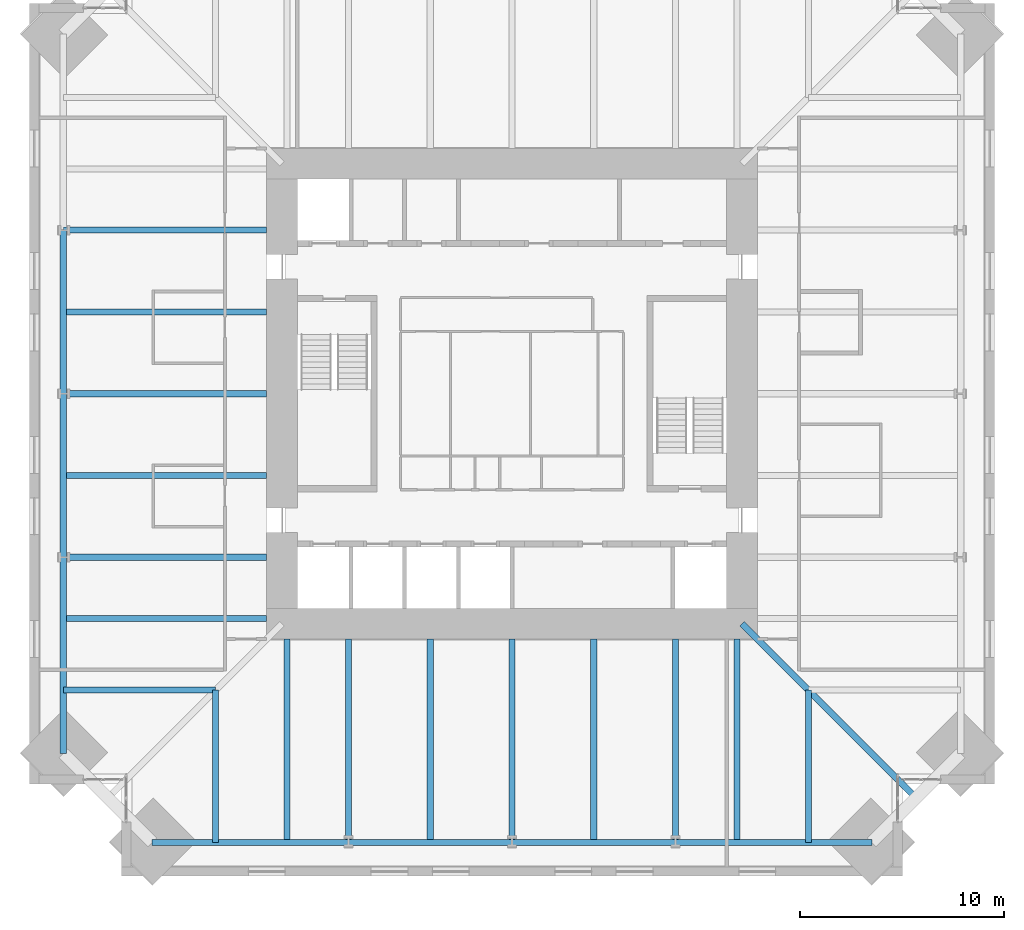
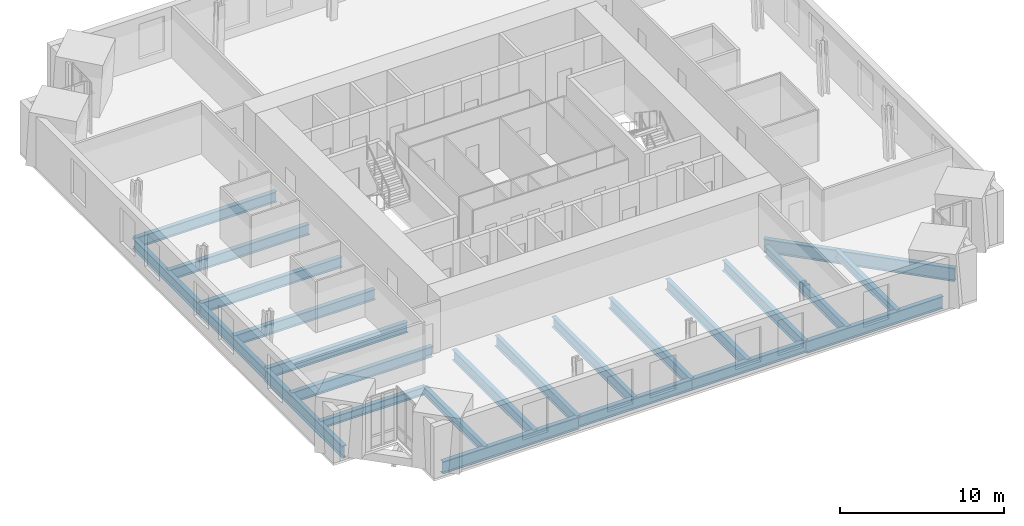
# One storey, part 3 of 14: 24 beams.
"""IFC4 building model written with IfcOpenShell, lengths in metres."""

from ifc_helpers import new_model, si_unit, direction, frame, origin, origin_2d, place, context, subcontext, project, spatial, i_section, extrude, material, material_profile, profile_set, type_object, element, save


model = new_model("IFC4")

# Units and contexts
model_context = context("Model", 3, precision=1e-05, world=origin(), true_north=direction((0.0, 1.0)))
body_context = subcontext(model_context, "Body", "Model", "MODEL_VIEW")
ifc_project = project(units=[si_unit("LENGTHUNIT", "METRE"), si_unit("AREAUNIT", "SQUARE_METRE"), si_unit("VOLUMEUNIT", "CUBIC_METRE"), si_unit("PLANEANGLEUNIT", "RADIAN"), si_unit("MASSUNIT", "GRAM", prefix="KILO")], contexts=[model_context])

# Site, building, storey
site_placement = place(None, origin())
site = spatial("IfcSite", under=ifc_project, at=site_placement, CompositionType="ELEMENT")
building_placement = place(site_placement, origin())
building = spatial("IfcBuilding", under=site, at=building_placement, Name="Peilmerk Tower", CompositionType="ELEMENT")
storey_placement = place(building_placement, frame((0.0, 0.0, 221.800048828125)))
storey = spatial("IfcBuildingStorey", under=building, at=storey_placement, Name="L48", CompositionType="ELEMENT", Elevation=221.800048828125)

# Beams
ifc_material = material(Name="Steel S355", Category="steel")
ifc_material_profile_1 = material_profile(ifc_material, i_section(OverallWidth=0.302978515625, OverallDepth=0.81396484375, WebThickness=0.02099609375, FlangeThickness=0.0400390625, at=origin_2d()), Name="HEM 800")
ifc_profile_set_1 = profile_set([ifc_material_profile_1], Name="Steel S355")
beam_type_1 = type_object("IfcBeamType", Name="B15 HEM 800 edge beam", PredefinedType="SPANDREL", material=ifc_profile_set_1)
for number, where, z_axis, x_axis, name in (
    (1, (-8.0, -21.953125, -0.5771484375), (1.0, 0.0, 0.0), (0.0, 1.0, 0.0), "Edge beam L48"),
    (2, (0.0, -21.953125, -0.5771484375), (1.0, 0.0, 0.0), (0.0, 1.0, 0.0), "Edge beam L48"),
    (3, (-21.953125, 8.0, -0.5771484375), (0.0, -1.0, 0.0), (1.0, 0.0, 0.0), "Edge beam L48"),
    (4, (-21.953125, 0.0, -0.5771484375), (0.0, -1.0, 0.0), (1.0, 0.0, 0.0), "Edge beam L48"),
):
    element("IfcBeam", number, at=place(storey_placement, frame(where, z_axis=z_axis, x_axis=x_axis)), inside=storey, type_object=beam_type_1, Name=name, PredefinedType="SPANDREL", context=body_context, shape_type="SweptSolid", body=[
        extrude(i_section(OverallWidth=0.302978515625, OverallDepth=0.81396484375, WebThickness=0.02099609375, FlangeThickness=0.0400390625, at=origin_2d()), origin(), (0.0, 0.0, 1.0), 8.0),
    ])
ifc_material_profile_2 = material_profile(ifc_material, i_section(OverallWidth=0.302001953125, OverallDepth=0.909912109375, WebThickness=0.02099609375, FlangeThickness=0.0400390625, at=origin_2d()), Name="HEM 900")
ifc_profile_set_2 = profile_set([ifc_material_profile_2], Name="Steel S355")
beam_type_2 = type_object("IfcBeamType", Name="B2 HEM 900 edge beam", PredefinedType="SPANDREL", material=ifc_profile_set_2)
for number, where, z_axis, x_axis, name in (
    (5, (-17.603271484375, -21.953125, -0.625), (1.0, 0.0, 0.0), (0.0, 1.0, 0.0), "Edge beam L48"),
    (6, (8.0, -21.953125, -0.625), (1.0, 0.0, 0.0), (0.0, 1.0, 0.0), "Edge beam L48"),
    (7, (-21.953125, -8.0, -0.625), (0.0, -1.0, 0.0), (1.0, 0.0, 0.0), "Edge beam L48"),
):
    element("IfcBeam", number, at=place(storey_placement, frame(where, z_axis=z_axis, x_axis=x_axis)), inside=storey, type_object=beam_type_2, Name=name, PredefinedType="SPANDREL", context=body_context, shape_type="SweptSolid", body=[
        extrude(i_section(OverallWidth=0.302001953125, OverallDepth=0.909912109375, WebThickness=0.02099609375, FlangeThickness=0.0400390625, at=origin_2d()), origin(), (0.0, 0.0, 1.0), 9.603271484375),
    ])
ifc_material_profile_3 = material_profile(ifc_material, i_section(OverallWidth=0.300048828125, OverallDepth=0.590087890625, WebThickness=0.012939453125, FlangeThickness=0.02490234375, at=origin_2d()), Name="HEA 600")
ifc_profile_set_3 = profile_set([ifc_material_profile_3], Name="Steel S355")
beam_type_3 = type_object("IfcBeamType", Name="B27 HEA 600 floor beam", PredefinedType="BEAM", material=ifc_profile_set_3)
for number, where, z_axis, x_axis, name in (
    (8, (14.5, -14.5, -0.465087890625), (0.0, -1.0, 0.0), (1.0, 0.0, 0.0), "Floor beam L48"),
    (9, (-14.5, -14.5, -0.465087890625), (0.0, -1.0, 0.0), (1.0, 0.0, 0.0), "Floor beam L48"),
    (10, (-14.5, -14.5, -0.465087890625), (-1.0, 0.0, 0.0), (0.0, -1.0, 0.0), "Floor beam L48"),
):
    element("IfcBeam", number, at=place(storey_placement, frame(where, z_axis=z_axis, x_axis=x_axis)), inside=storey, type_object=beam_type_3, Name=name, PredefinedType="BEAM", context=body_context, shape_type="SweptSolid", body=[
        extrude(i_section(OverallWidth=0.300048828125, OverallDepth=0.590087890625, WebThickness=0.012939453125, FlangeThickness=0.02490234375, at=origin_2d()), origin(), (0.0, 0.0, 1.0), 7.453125),
    ])
ifc_material_profile_4 = material_profile(ifc_material, i_section(OverallWidth=0.300048828125, OverallDepth=0.7900390625, WebThickness=0.014892578125, FlangeThickness=0.028076171875, at=origin_2d()), Name="HEA 800")
ifc_profile_set_4 = profile_set([ifc_material_profile_4], Name="Steel S355")
beam_type_4 = type_object("IfcBeamType", Name="B3 HEA 800 floor beam", PredefinedType="BEAM", material=ifc_profile_set_4)
for number, where, z_axis, x_axis, name in (
    (11, (-11.0, -12.0, -0.56494140625), (0.0, -1.0, 0.0), (1.0, 0.0, 0.0), "Floor beam L48"),
    (12, (-8.0, -12.0, -0.56494140625), (0.0, -1.0, 0.0), (1.0, 0.0, 0.0), "Floor beam L48"),
    (13, (-4.0, -12.0, -0.56494140625), (0.0, -1.0, 0.0), (1.0, 0.0, 0.0), "Floor beam L48"),
    (14, (0.0, -12.0, -0.56494140625), (0.0, -1.0, 0.0), (1.0, 0.0, 0.0), "Floor beam L48"),
    (15, (4.0, -12.0, -0.56494140625), (0.0, -1.0, 0.0), (1.0, 0.0, 0.0), "Floor beam L48"),
    (16, (8.0, -12.0, -0.56494140625), (0.0, -1.0, 0.0), (1.0, 0.0, 0.0), "Floor beam L48"),
    (17, (11.0, -12.0, -0.56494140625), (0.0, -1.0, 0.0), (1.0, 0.0, 0.0), "Floor beam L48"),
    (18, (-12.0, 8.0, -0.56494140625), (-1.0, 0.0, 0.0), (0.0, -1.0, 0.0), "Floor beam L48"),
    (19, (-12.0, 4.0, -0.56494140625), (-1.0, 0.0, 0.0), (0.0, -1.0, 0.0), "Floor beam L48"),
    (20, (-12.0, 0.0, -0.56494140625), (-1.0, 0.0, 0.0), (0.0, -1.0, 0.0), "Floor beam L48"),
    (21, (-12.0, -4.0, -0.56494140625), (-1.0, 0.0, 0.0), (0.0, -1.0, 0.0), "Floor beam L48"),
    (22, (-12.0, -8.0, -0.56494140625), (-1.0, 0.0, 0.0), (0.0, -1.0, 0.0), "Floor beam L48"),
    (23, (-12.0, -11.0, -0.56494140625), (-1.0, 0.0, 0.0), (0.0, -1.0, 0.0), "Floor beam L48"),
):
    element("IfcBeam", number, at=place(storey_placement, frame(where, z_axis=z_axis, x_axis=x_axis)), inside=storey, type_object=beam_type_4, Name=name, PredefinedType="BEAM", context=body_context, shape_type="SweptSolid", body=[
        extrude(i_section(OverallWidth=0.300048828125, OverallDepth=0.7900390625, WebThickness=0.014892578125, FlangeThickness=0.028076171875, at=origin_2d()), origin(), (0.0, 0.0, 1.0), 9.953125),
    ])
ifc_material_profile_5 = material_profile(ifc_material, i_section(OverallWidth=0.300048828125, OverallDepth=1.0, WebThickness=0.01904296875, FlangeThickness=0.035888671875, at=origin_2d()), Name="HEB 1000")
ifc_profile_set_5 = profile_set([ifc_material_profile_5], Name="Steel S355")
beam_type_5 = type_object("IfcBeamType", Name="B5 HEB 1000 floor girder", PredefinedType="BEAM", material=ifc_profile_set_5)
beam_placement = place(storey_placement, frame((11.25, -11.25, -0.670166015625), z_axis=(0.707106781187, -0.707106781187, 0.0), x_axis=(0.707106781187, 0.707106781187, 0.0)))
element("IfcBeam", 24, at=beam_placement, inside=storey, type_object=beam_type_5, Name="Corner girder L48", PredefinedType="BEAM", context=body_context, shape_type="SweptSolid", body=[
    extrude(i_section(OverallWidth=0.300048828125, OverallDepth=1.0, WebThickness=0.01904296875, FlangeThickness=0.035888671875, at=origin_2d()), origin(), (0.0, 0.0, 1.0), 12.060791015625),
])

save(model, "model.ifc")
